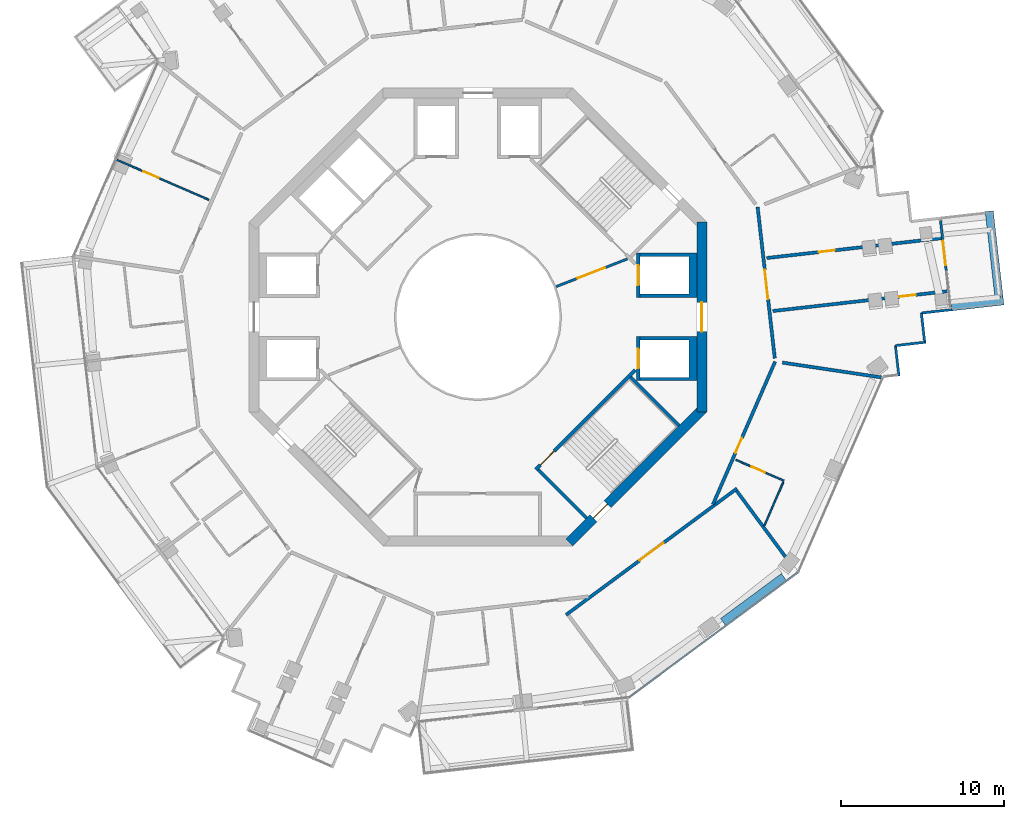
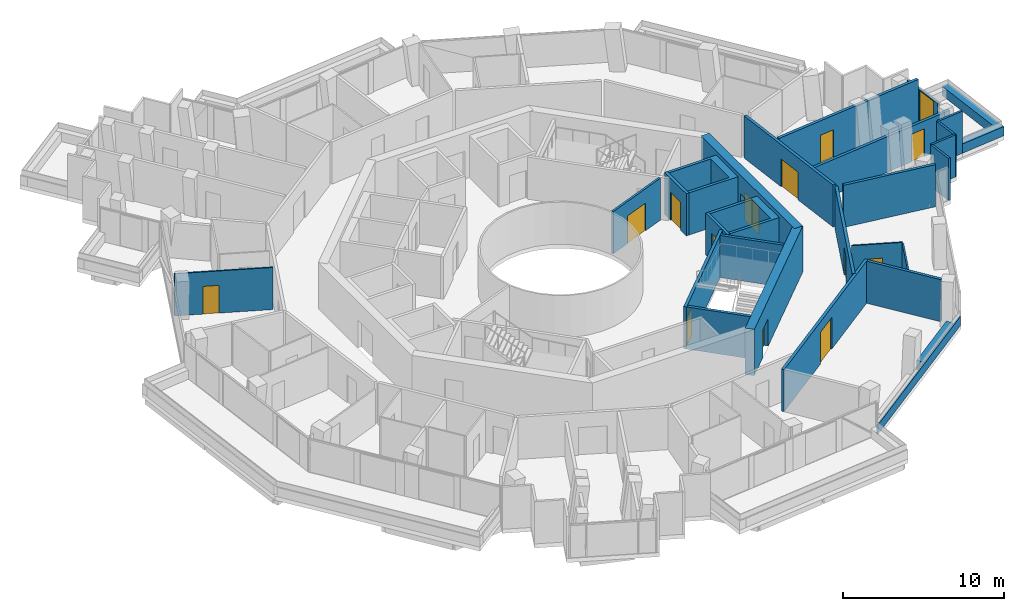
# One storey, part 17 of 23: 29 walls, 14 doors, 14 openings.
"""IFC4 building model written with IfcOpenShell, lengths in metres."""

from ifc_helpers import new_model, si_unit, direction, frame, frame_2d, origin, place, context, subcontext, project, spatial, polyline, rectangle, outline, extrude, material, layer, layer_set, type_object, element, fill, save


model = new_model("IFC4")

# Units and contexts
model_context = context("Model", 3, precision=1e-05, world=origin(), true_north=direction((0.0, 1.0)))
body_context = subcontext(model_context, "Body", "Model", "MODEL_VIEW")
ifc_project = project(units=[si_unit("LENGTHUNIT", "METRE"), si_unit("AREAUNIT", "SQUARE_METRE"), si_unit("VOLUMEUNIT", "CUBIC_METRE"), si_unit("PLANEANGLEUNIT", "RADIAN"), si_unit("MASSUNIT", "GRAM", prefix="KILO")], contexts=[model_context])

# Site, building, storey
site_placement = place(None, origin())
site = spatial("IfcSite", under=ifc_project, at=site_placement, CompositionType="ELEMENT")
building_placement = place(site_placement, origin())
building = spatial("IfcBuilding", under=site, at=building_placement, Name="Verdalira Terraces Hotel", CompositionType="ELEMENT")
storey_placement = place(building_placement, frame((0.0, 0.0, 183.5)))
storey = spatial("IfcBuildingStorey", under=building, at=storey_placement, Name="L44", CompositionType="ELEMENT", Elevation=183.5)

# Walls
ifc_material_1 = material(Name="Concrete C40", Category="concrete")
ifc_layer_1 = layer(ifc_material_1, 0.5)
ifc_layer_set_1 = layer_set([ifc_layer_1], Name="Balcony planter trough with tree")
wall_type_1 = type_object("IfcWallType", Name="Balcony planter trough with tree", PredefinedType="SOLIDWALL", material=ifc_layer_set_1)
wall_1_placement = place(storey_placement, frame((28.974121, 0.623779, 0.0), z_axis=(0.0, 0.0, 1.0), x_axis=(0.993608952, 0.112877152, 0.0)))
element("IfcWall", 1, at=wall_1_placement, inside=storey, type_object=wall_type_1, Name="Balcony planter", PredefinedType="SOLIDWALL", context=body_context, shape_type="SweptSolid", body=[
    extrude(rectangle(XDim=3.198975, YDim=0.5, at=frame_2d((1.599609, 0.0))), origin(), (0.0, 0.0, 1.0), 0.699951),
])
wall_2_placement = place(storey_placement, frame((31.875977, 1.205078, 0.0), z_axis=(0.0, 0.0, 1.0), x_axis=(-0.112858009, 0.993611126, 0.0)))
element("IfcWall", 2, at=wall_2_placement, inside=storey, type_object=wall_type_1, Name="Balcony planter", PredefinedType="SOLIDWALL", context=body_context, shape_type="SweptSolid", body=[
    extrude(rectangle(XDim=5.300049, YDim=0.5, at=frame_2d((2.649902, 0.0))), origin(), (0.0, 0.0, 1.0), 0.699951),
])

# Wall, opening, door
ifc_material_2 = material(Name="Moisture-resistant gypsum board partition")
ifc_layer_2 = layer(ifc_material_2, 0.10009765625)
ifc_layer_set_2 = layer_set([ifc_layer_2], Name="Bathroom partition 100 mm")
wall_type_2 = type_object("IfcWallType", Name="Bathroom partition 100 mm", PredefinedType="PARTITIONING", material=ifc_layer_set_2)
wall_3_placement = place(storey_placement, frame((-22.105469, 9.62085, 0.0), z_axis=(0.0, 0.0, 1.0), x_axis=(0.916919155, -0.399073005, 0.0)))
wall_3 = element("IfcWall", 3, at=wall_3_placement, inside=storey, type_object=wall_type_2, Name="Bathroom partition", PredefinedType="PARTITIONING", context=body_context, shape_type="SweptSolid", body=[
    extrude(rectangle(XDim=6.150146, YDim=0.100098, at=frame_2d((3.075195, 0.0))), origin(), (0.0, 0.0, 1.0), 3.189941),
])
opening_1_placement = place(wall_3_placement, frame((1.800049, 0.0, 0.0)))
opening_1 = element("IfcOpeningElement", 4, at=opening_1_placement, cuts=wall_3, Name="Opening L44-105", PredefinedType="OPENING", context=body_context, shape_type="SweptSolid", body=[
    extrude(rectangle(XDim=1.0, YDim=2.100098, at=frame_2d((0.5, 1.050049))), frame((0.0, 0.060059, 0.0), z_axis=(0.0, -1.0, 0.0), x_axis=(1.0, 0.0, 0.0)), (0.0, 0.0, 1.0), 0.120117),
])
ifc_material_3 = material(Name="Timber door", Category="wood")
door_type_1 = type_object("IfcDoorType", Name="Suite internal door 1000 x 2100", OperationType="NOTDEFINED", PredefinedType="DOOR", material=ifc_material_3)
door_1_placement = place(opening_1_placement, origin())
door_1 = element("IfcDoor", 5, at=door_1_placement, inside=storey, type_object=door_type_1, Name="Suite internal door 4402", OperationType="SINGLE_SWING_LEFT", OverallHeight=2.10009765625, OverallWidth=1.0, PredefinedType="DOOR", context=body_context, shape_type="SweptSolid", body=[
    extrude(rectangle(XDim=1.0, YDim=2.100098, at=frame_2d((0.5, 1.050049))), frame((0.0, 0.024902, 0.0), z_axis=(0.0, -1.0, 0.0), x_axis=(1.0, 0.0, 0.0)), (0.0, 0.0, 1.0), 0.050049),
])
fill(opening_1, door_1)

wall_4_placement = place(storey_placement, frame((18.714844, -10.019287, 0.0), z_axis=(0.0, 0.0, 1.0), x_axis=(-0.91692081, 0.399069203, 0.0)))
wall_4 = element("IfcWall", 6, at=wall_4_placement, inside=storey, type_object=wall_type_2, Name="Bathroom partition", PredefinedType="PARTITIONING", context=body_context, shape_type="SweptSolid", body=[
    extrude(rectangle(XDim=3.200195, YDim=0.100098, at=frame_2d((1.600098, 0.0))), origin(), (0.0, 0.0, 1.0), 3.189941),
])
opening_2_placement = place(wall_4_placement, frame((1.25, 0.0, 0.0)))
opening_2 = element("IfcOpeningElement", 7, at=opening_2_placement, cuts=wall_4, Name="Opening L44-121", PredefinedType="OPENING", context=body_context, shape_type="SweptSolid", body=[
    extrude(rectangle(XDim=0.899902, YDim=2.100098, at=frame_2d((0.449951, 1.050049))), frame((0.0, 0.060059, 0.0), z_axis=(0.0, -1.0, 0.0), x_axis=(1.0, 0.0, 0.0)), (0.0, 0.0, 1.0), 0.120117),
])
ifc_material_4 = material(Name="Timber door", Category="wood")
door_type_2 = type_object("IfcDoorType", Name="Bathroom door 900 x 2100", OperationType="NOTDEFINED", PredefinedType="DOOR", material=ifc_material_4)
door_2_placement = place(opening_2_placement, origin())
door_2 = element("IfcDoor", 8, at=door_2_placement, inside=storey, type_object=door_type_2, Name="Bathroom door 4407", OperationType="SINGLE_SWING_LEFT", OverallHeight=2.10009765625, OverallWidth=0.89990234375, PredefinedType="DOOR", context=body_context, shape_type="SweptSolid", body=[
    extrude(rectangle(XDim=0.899902, YDim=2.100098, at=frame_2d((0.449951, 1.050049))), frame((0.0, 0.024902, 0.0), z_axis=(0.0, -1.0, 0.0), x_axis=(1.0, 0.0, 0.0)), (0.0, 0.0, 1.0), 0.050049),
])
fill(opening_2, door_2)

# Walls
wall_5_placement = place(storey_placement, frame((18.674805, -10.11084, 0.0), z_axis=(0.0, 0.0, 1.0), x_axis=(-0.399063298, -0.91692338, 0.0)))
element("IfcWall", 9, at=wall_5_placement, inside=storey, type_object=wall_type_2, Name="Bathroom partition", PredefinedType="PARTITIONING", context=body_context, shape_type="SweptSolid", body=[
    extrude(rectangle(XDim=2.912109, YDim=0.100098, at=frame_2d((1.456055, 0.0))), origin(), (0.0, 0.0, 1.0), 3.189941),
])
ifc_material_5 = material(Name="Concrete C50", Category="concrete")
ifc_layer_3 = layer(ifc_material_5, 0.199951171875)
ifc_layer_set_3 = layer_set([ifc_layer_3], Name="Core RC wall 200 C50")
wall_type_3 = type_object("IfcWallType", Name="Core RC wall 200 C50", PredefinedType="SOLIDWALL", material=ifc_layer_set_3)
wall_6_placement = place(storey_placement, origin())
element("IfcWall", 10, at=wall_6_placement, inside=storey, type_object=wall_type_3, Name="L44 shaft wall E1", PredefinedType="SOLIDWALL", context=body_context, shape_type="SweptSolid", body=[
    extrude(outline(polyline([(13.399902, -3.899902), (9.899902, -3.899902), (9.899902, -3.699951), (12.899902, -3.699951), (12.899902, -1.399902), (9.899902, -1.399902), (9.899902, -1.199951), (13.399902, -1.199951), (13.399902, -3.899902)])), origin(), (0.0, 0.0, 1.0), 3.189941),
])

# Wall, opening, door
wall_7_placement = place(storey_placement, frame((9.800049, -1.199951, 0.0), z_axis=(0.0, 0.0, 1.0), x_axis=(0.0, -1.0, 0.0)))
wall_7 = element("IfcWall", 11, at=wall_7_placement, inside=storey, type_object=wall_type_3, Name="L44 shaft front wall E1", PredefinedType="SOLIDWALL", context=body_context, shape_type="SweptSolid", body=[
    extrude(rectangle(XDim=2.699951, YDim=0.199951, at=frame_2d((1.350098, 0.0))), origin(), (0.0, 0.0, 1.0), 3.189941),
])
opening_3_placement = place(wall_7_placement, frame((0.75, 0.0, 0.0)))
opening_3 = element("IfcOpeningElement", 12, at=opening_3_placement, cuts=wall_7, Name="Opening LD-L44-802", PredefinedType="OPENING", context=body_context, shape_type="SweptSolid", body=[
    extrude(rectangle(XDim=1.199951, YDim=2.100098, at=frame_2d((0.600098, 1.050049))), frame((0.0, 0.109863, 0.0), z_axis=(0.0, -1.0, 0.0), x_axis=(1.0, 0.0, 0.0)), (0.0, 0.0, 1.0), 0.219971),
])
ifc_material_6 = material(Name="Stainless steel", Category="steel")
door_type_3 = type_object("IfcDoorType", Name="Landing door 1200 x 2100", OperationType="NOTDEFINED", PredefinedType="DOOR", material=ifc_material_6)
door_3_placement = place(opening_3_placement, origin())
door_3 = element("IfcDoor", 13, at=door_3_placement, inside=storey, type_object=door_type_3, Name="Lift landing door HR1 L44", OperationType="DOUBLE_DOOR_SLIDING", OverallHeight=2.10009765625, OverallWidth=1.199951171875, PredefinedType="DOOR", context=body_context, shape_type="SweptSolid", body=[
    extrude(rectangle(XDim=1.199951, YDim=2.100098, at=frame_2d((0.600098, 1.050049))), frame((0.0, 0.024902, 0.0), z_axis=(0.0, -1.0, 0.0), x_axis=(1.0, 0.0, 0.0)), (0.0, 0.0, 1.0), 0.050049),
])
fill(opening_3, door_3)

# Wall
wall_8_placement = place(storey_placement, origin())
element("IfcWall", 14, at=wall_8_placement, inside=storey, type_object=wall_type_3, Name="L44 shaft wall E2", PredefinedType="SOLIDWALL", context=body_context, shape_type="SweptSolid", body=[
    extrude(outline(polyline([(13.399902, 3.899902), (13.399902, 1.199951), (9.899902, 1.199951), (9.899902, 1.399902), (12.899902, 1.399902), (12.899902, 3.699951), (9.899902, 3.699951), (9.899902, 3.899902), (13.399902, 3.899902)])), origin(), (0.0, 0.0, 1.0), 3.189941),
])

# Wall, opening, door
wall_9_placement = place(storey_placement, frame((9.800049, 1.199951, 0.0), z_axis=(0.0, 0.0, 1.0), x_axis=(0.0, 1.0, 0.0)))
wall_9 = element("IfcWall", 15, at=wall_9_placement, inside=storey, type_object=wall_type_3, Name="L44 shaft front wall E2", PredefinedType="SOLIDWALL", context=body_context, shape_type="SweptSolid", body=[
    extrude(rectangle(XDim=2.699951, YDim=0.199951, at=frame_2d((1.350098, 0.0))), origin(), (0.0, 0.0, 1.0), 3.189941),
])
opening_4_placement = place(wall_9_placement, frame((0.75, 0.0, 0.0)))
opening_4 = element("IfcOpeningElement", 16, at=opening_4_placement, cuts=wall_9, Name="Opening LD-L44-803", PredefinedType="OPENING", context=body_context, shape_type="SweptSolid", body=[
    extrude(rectangle(XDim=1.199951, YDim=2.100098, at=frame_2d((0.600098, 1.050049))), frame((0.0, 0.109863, 0.0), z_axis=(0.0, -1.0, 0.0), x_axis=(1.0, 0.0, 0.0)), (0.0, 0.0, 1.0), 0.219971),
])
door_4_placement = place(opening_4_placement, origin())
door_4 = element("IfcDoor", 17, at=door_4_placement, inside=storey, type_object=door_type_3, Name="Lift landing door HR2 L44", OperationType="DOUBLE_DOOR_SLIDING", OverallHeight=2.10009765625, OverallWidth=1.199951171875, PredefinedType="DOOR", context=body_context, shape_type="SweptSolid", body=[
    extrude(rectangle(XDim=1.199951, YDim=2.100098, at=frame_2d((0.600098, 1.050049))), frame((0.0, 0.024902, 0.0), z_axis=(0.0, -1.0, 0.0), x_axis=(1.0, 0.0, 0.0)), (0.0, 0.0, 1.0), 0.050049),
])
fill(opening_4, door_4)

wall_10_placement = place(storey_placement, frame((9.629395, -3.23999, 0.0), z_axis=(0.0, 0.0, 1.0), x_axis=(-0.707120946, -0.707092617, 0.0)))
wall_10 = element("IfcWall", 18, at=wall_10_placement, inside=storey, type_object=wall_type_3, Name="L44 stair ST3 front wall", PredefinedType="SOLIDWALL", context=body_context, shape_type="SweptSolid", body=[
    extrude(rectangle(XDim=8.61792, YDim=0.199951, at=frame_2d((4.309082, 0.0))), origin(), (0.0, 0.0, 1.0), 3.189941),
])
opening_5_placement = place(wall_10_placement, frame((7.017822, 0.0, 0.0)))
opening_5 = element("IfcOpeningElement", 19, at=opening_5_placement, cuts=wall_10, Name="Opening L44-812", PredefinedType="OPENING", context=body_context, shape_type="SweptSolid", body=[
    extrude(rectangle(XDim=1.199951, YDim=2.100098, at=frame_2d((0.600098, 1.050049))), frame((0.0, 0.109863, 0.0), z_axis=(0.0, -1.0, 0.0), x_axis=(1.0, 0.0, 0.0)), (0.0, 0.0, 1.0), 0.219971),
])
ifc_material_7 = material(Name="Steel fire door", Category="steel")
door_type_4 = type_object("IfcDoorType", Name="Stair door 1200 x 2100", OperationType="NOTDEFINED", PredefinedType="DOOR", material=ifc_material_7)
door_5_placement = place(opening_5_placement, origin())
door_5 = element("IfcDoor", 20, at=door_5_placement, inside=storey, type_object=door_type_4, Name="Stair door ST3 L44", OperationType="SINGLE_SWING_RIGHT", OverallHeight=2.10009765625, OverallWidth=1.199951171875, PredefinedType="DOOR", context=body_context, shape_type="SweptSolid", body=[
    extrude(rectangle(XDim=1.199951, YDim=2.100098, at=frame_2d((0.600098, 1.050049))), frame((0.0, 0.024902, 0.0), z_axis=(0.0, -1.0, 0.0), x_axis=(1.0, 0.0, 0.0)), (0.0, 0.0, 1.0), 0.050049),
])
fill(opening_5, door_5)

# Walls
for number, where, z_axis, x_axis, name in (
    (21, (3.677002, -9.33374, 0.0), (0.0, 0.0, 1.0), (0.707077716, -0.707135845, 0.0), "L44 stair ST3 end wall 1"),
    (22, (9.33374, -3.677002, 0.0), (0.0, 0.0, 1.0), (0.707135845, -0.707077716, 0.0), "L44 stair ST3 end wall 2"),
):
    element("IfcWall", number, at=place(storey_placement, frame(where, z_axis=z_axis, x_axis=x_axis)), inside=storey, type_object=wall_type_3, Name=name, PredefinedType="SOLIDWALL", context=body_context, shape_type="SweptSolid", body=[
        extrude(rectangle(XDim=4.199951, YDim=0.199951, at=frame_2d((2.100098, 0.0))), origin(), (0.0, 0.0, 1.0), 3.189941),
    ])

# Wall, opening, door
ifc_material_8 = material(Name="Gypsum board partition")
ifc_layer_4 = layer(ifc_material_8, 0.14990234375)
ifc_layer_set_4 = layer_set([ifc_layer_4], Name="Core partition 150 mm")
wall_type_4 = type_object("IfcWallType", Name="Core partition 150 mm", PredefinedType="PARTITIONING", material=ifc_layer_set_4)
wall_11_placement = place(storey_placement, frame((4.781982, 1.857178, 0.0), z_axis=(0.0, 0.0, 1.0), x_axis=(0.932157474, 0.362053096, 0.0)))
wall_11 = element("IfcWall", 23, at=wall_11_placement, inside=storey, type_object=wall_type_4, Name="Gallery fire partition L44", PredefinedType="PARTITIONING", context=body_context, shape_type="SweptSolid", body=[
    extrude(rectangle(XDim=4.675049, YDim=0.149902, at=frame_2d((2.337402, 0.0))), origin(), (0.0, 0.0, 1.0), 3.189941),
])
opening_6_placement = place(wall_11_placement, frame((1.399902, 0.0, 0.0)))
opening_6 = element("IfcOpeningElement", 24, at=opening_6_placement, cuts=wall_11, Name="Opening L44-823", PredefinedType="OPENING", context=body_context, shape_type="SweptSolid", body=[
    extrude(rectangle(XDim=1.800049, YDim=2.100098, at=frame_2d((0.899902, 1.050049))), frame((0.0, 0.084961, 0.0), z_axis=(0.0, -1.0, 0.0), x_axis=(1.0, 0.0, 0.0)), (0.0, 0.0, 1.0), 0.169922),
])
ifc_material_9 = material(Name="Steel fire door", Category="steel")
door_type_5 = type_object("IfcDoorType", Name="Gallery fire door pair 1800 x 2100", OperationType="NOTDEFINED", PredefinedType="DOOR", material=ifc_material_9)
door_6_placement = place(opening_6_placement, origin())
door_6 = element("IfcDoor", 25, at=door_6_placement, inside=storey, type_object=door_type_5, Name="Door L44 split0", OperationType="DOUBLE_DOOR_SINGLE_SWING", OverallHeight=2.10009765625, OverallWidth=1.800048828125, PredefinedType="DOOR", context=body_context, shape_type="SweptSolid", body=[
    extrude(rectangle(XDim=1.800049, YDim=2.100098, at=frame_2d((0.899902, 1.050049))), frame((0.0, 0.024902, 0.0), z_axis=(0.0, -1.0, 0.0), x_axis=(1.0, 0.0, 0.0)), (0.0, 0.0, 1.0), 0.050049),
])
fill(opening_6, door_6)

ifc_material_10 = material(Name="Concrete C60", Category="concrete")
ifc_layer_5 = layer(ifc_material_10, 0.60009765625)
ifc_layer_set_5 = layer_set([ifc_layer_5], Name="Core wall 600 C60")
wall_type_5 = type_object("IfcWallType", Name="Core wall 600 C60", PredefinedType="SHEAR", material=ifc_layer_set_5)
wall_12_placement = place(storey_placement, frame((13.699951, -5.799072, 0.0), z_axis=(0.0, 0.0, 1.0), x_axis=(0.0, 1.0, 0.0)))
wall_12 = element("IfcWall", 26, at=wall_12_placement, inside=storey, type_object=wall_type_5, Name="Core wall CW-L44-1", PredefinedType="SHEAR", context=body_context, shape_type="SweptSolid", body=[
    extrude(rectangle(XDim=11.598145, YDim=0.600098, at=frame_2d((5.799072, 0.0))), origin(), (0.0, 0.0, 1.0), 3.5),
])
opening_7_placement = place(wall_12_placement, frame((4.898926, 0.0, 0.0)))
opening_7 = element("IfcOpeningElement", 27, at=opening_7_placement, cuts=wall_12, Name="Opening L44-813", PredefinedType="OPENING", context=body_context, shape_type="SweptSolid", body=[
    extrude(rectangle(XDim=1.800049, YDim=2.100098, at=frame_2d((0.899902, 1.050049))), frame((0.0, 0.310059, 0.0), z_axis=(0.0, -1.0, 0.0), x_axis=(1.0, 0.0, 0.0)), (0.0, 0.0, 1.0), 0.620117),
])
ifc_material_11 = material(Name="Steel fire door", Category="steel")
door_type_6 = type_object("IfcDoorType", Name="Core entry door pair 1800 x 2100", OperationType="NOTDEFINED", PredefinedType="DOOR", material=ifc_material_11)
door_7_placement = place(opening_7_placement, origin())
door_7 = element("IfcDoor", 28, at=door_7_placement, inside=storey, type_object=door_type_6, Name="Core entry door L44 0", OperationType="DOUBLE_DOOR_SINGLE_SWING", OverallHeight=2.10009765625, OverallWidth=1.800048828125, PredefinedType="DOOR", context=body_context, shape_type="SweptSolid", body=[
    extrude(rectangle(XDim=1.800049, YDim=2.100098, at=frame_2d((0.899902, 1.050049))), frame((0.0, 0.024902, 0.0), z_axis=(0.0, -1.0, 0.0), x_axis=(1.0, 0.0, 0.0)), (0.0, 0.0, 1.0), 0.050049),
])
fill(opening_7, door_7)

wall_13_placement = place(storey_placement, frame((5.586914, -13.787842, 0.0), z_axis=(0.0, 0.0, 1.0), x_axis=(0.707106781, 0.707106781, 0.0)))
wall_13 = element("IfcWall", 29, at=wall_13_placement, inside=storey, type_object=wall_type_5, Name="Core wall CW-L44-8", PredefinedType="SHEAR", context=body_context, shape_type="SweptSolid", body=[
    extrude(rectangle(XDim=11.5979, YDim=0.600098, at=frame_2d((5.798828, 0.0))), origin(), (0.0, 0.0, 1.0), 3.5),
])
opening_8_placement = place(wall_13_placement, frame((2.099121, 0.0, 0.0)))
opening_8 = element("IfcOpeningElement", 30, at=opening_8_placement, cuts=wall_13, Name="Opening L44-818", PredefinedType="OPENING", context=body_context, shape_type="SweptSolid", body=[
    extrude(rectangle(XDim=1.199951, YDim=2.100098, at=frame_2d((0.600098, 1.050049))), frame((0.0, 0.310059, 0.0), z_axis=(0.0, -1.0, 0.0), x_axis=(1.0, 0.0, 0.0)), (0.0, 0.0, 1.0), 0.620117),
])
door_8_placement = place(opening_8_placement, origin())
door_8 = element("IfcDoor", 31, at=door_8_placement, inside=storey, type_object=door_type_4, Name="Stair exit door ST3 L44", OperationType="SINGLE_SWING_LEFT", OverallHeight=2.10009765625, OverallWidth=1.199951171875, PredefinedType="DOOR", context=body_context, shape_type="SweptSolid", body=[
    extrude(rectangle(XDim=1.199951, YDim=2.100098, at=frame_2d((0.600098, 1.050049))), frame((0.0, 0.024902, 0.0), z_axis=(0.0, -1.0, 0.0), x_axis=(1.0, 0.0, 0.0)), (0.0, 0.0, 1.0), 0.050049),
])
fill(opening_8, door_8)

# Wall
ifc_material_12 = material(Name="Fire-rated gypsum board wall")
ifc_layer_6 = layer(ifc_material_12, 0.199951171875)
ifc_layer_set_6 = layer_set([ifc_layer_6], Name="Demising wall 200 mm")
wall_type_6 = type_object("IfcWallType", Name="Demising wall 200 mm", PredefinedType="SOLIDWALL", material=ifc_layer_set_6)
wall_14_placement = place(storey_placement, frame((24.688721, -3.698486, 0.0), z_axis=(0.0, 0.0, 1.0), x_axis=(-0.988965537, 0.148145763, 0.0)))
element("IfcWall", 32, at=wall_14_placement, inside=storey, type_object=wall_type_6, Name="Demising wall", PredefinedType="SOLIDWALL", context=body_context, shape_type="SweptSolid", body=[
    extrude(rectangle(XDim=6.13208, YDim=0.199951, at=frame_2d((3.065918, 0.0))), origin(), (0.0, 0.0, 1.0), 3.189941),
])

# Wall, opening, door
wall_15_placement = place(storey_placement, frame((17.664307, 3.605469, 0.0), z_axis=(0.0, 0.0, 1.0), x_axis=(0.993612144, 0.112849049, 0.0)))
wall_15 = element("IfcWall", 33, at=wall_15_placement, inside=storey, type_object=wall_type_6, Name="Demising wall", PredefinedType="SOLIDWALL", context=body_context, shape_type="SweptSolid", body=[
    extrude(rectangle(XDim=10.75, YDim=0.199951, at=frame_2d((5.375, 0.0))), origin(), (0.0, 0.0, 1.0), 3.189941),
])
opening_9_placement = place(wall_15_placement, frame((3.199951, 0.0, 0.0)))
opening_9 = element("IfcOpeningElement", 34, at=opening_9_placement, cuts=wall_15, Name="Opening L44-124", PredefinedType="OPENING", context=body_context, shape_type="SweptSolid", body=[
    extrude(rectangle(XDim=1.0, YDim=2.100098, at=frame_2d((0.5, 1.050049))), frame((0.0, 0.109863, 0.0), z_axis=(0.0, -1.0, 0.0), x_axis=(1.0, 0.0, 0.0)), (0.0, 0.0, 1.0), 0.219971),
])
ifc_material_13 = material(Name="Timber fire door", Category="wood")
door_type_7 = type_object("IfcDoorType", Name="Public room door 1000 x 2100", OperationType="NOTDEFINED", PredefinedType="DOOR", material=ifc_material_13)
door_9_placement = place(opening_9_placement, origin())
door_9 = element("IfcDoor", 35, at=door_9_placement, inside=storey, type_object=door_type_7, Name="Public room door 4408", OperationType="SINGLE_SWING_LEFT", OverallHeight=2.10009765625, OverallWidth=1.0, PredefinedType="DOOR", context=body_context, shape_type="SweptSolid", body=[
    extrude(rectangle(XDim=1.0, YDim=2.100098, at=frame_2d((0.5, 1.050049))), frame((0.0, 0.024902, 0.0), z_axis=(0.0, -1.0, 0.0), x_axis=(1.0, 0.0, 0.0)), (0.0, 0.0, 1.0), 0.050049),
])
fill(opening_9, door_9)

ifc_material_14 = material(Name="Fire-rated gypsum board wall")
ifc_layer_7 = layer(ifc_material_14, 0.199951171875)
ifc_layer_set_7 = layer_set([ifc_layer_7], Name="Demising wall 200 mm to beam soffit")
wall_type_7 = type_object("IfcWallType", Name="Demising wall 200 mm to beam soffit", PredefinedType="SOLIDWALL", material=ifc_layer_set_7)
wall_16_placement = place(storey_placement, frame((28.714111, 1.574951, 0.0), z_axis=(0.0, 0.0, 1.0), x_axis=(-0.993612144, -0.112849049, 0.0)))
wall_16 = element("IfcWall", 36, at=wall_16_placement, inside=storey, type_object=wall_type_7, Name="Demising wall", PredefinedType="SOLIDWALL", context=body_context, shape_type="SweptSolid", body=[
    extrude(rectangle(XDim=10.75, YDim=0.199951, at=frame_2d((5.375, 0.0))), origin(), (0.0, 0.0, 1.0), 2.689941),
])
opening_10_placement = place(wall_16_placement, frame((1.949951, 0.0, 0.0)))
opening_10 = element("IfcOpeningElement", 37, at=opening_10_placement, cuts=wall_16, Name="Opening L44-123", PredefinedType="OPENING", context=body_context, shape_type="SweptSolid", body=[
    extrude(rectangle(XDim=1.0, YDim=2.100098, at=frame_2d((0.5, 1.050049))), frame((0.0, 0.109863, 0.0), z_axis=(0.0, -1.0, 0.0), x_axis=(1.0, 0.0, 0.0)), (0.0, 0.0, 1.0), 0.219971),
])
door_10_placement = place(opening_10_placement, origin())
door_10 = element("IfcDoor", 38, at=door_10_placement, inside=storey, type_object=door_type_7, Name="Public room door 4408", OperationType="SINGLE_SWING_LEFT", OverallHeight=2.10009765625, OverallWidth=1.0, PredefinedType="DOOR", context=body_context, shape_type="SweptSolid", body=[
    extrude(rectangle(XDim=1.0, YDim=2.100098, at=frame_2d((0.5, 1.050049))), frame((0.0, 0.024902, 0.0), z_axis=(0.0, -1.0, 0.0), x_axis=(1.0, 0.0, 0.0)), (0.0, 0.0, 1.0), 0.050049),
])
fill(opening_10, door_10)

ifc_material_15 = material(Name="Fire-rated gypsum board wall")
ifc_layer_8 = layer(ifc_material_15, 0.199951171875)
ifc_layer_set_8 = layer_set([ifc_layer_8], Name="Guest corridor wall 200 mm")
wall_type_8 = type_object("IfcWallType", Name="Guest corridor wall 200 mm", PredefinedType="SOLIDWALL", material=ifc_layer_set_8)
wall_17_placement = place(storey_placement, frame((18.181885, -2.723877, 0.0), z_axis=(0.0, 0.0, 1.0), x_axis=(-0.399057465, -0.916925918, 0.0)))
wall_17 = element("IfcWall", 39, at=wall_17_placement, inside=storey, type_object=wall_type_8, Name="Guest corridor wall", PredefinedType="SOLIDWALL", context=body_context, shape_type="SweptSolid", body=[
    extrude(rectangle(XDim=9.536621, YDim=0.199951, at=frame_2d((4.768311, 0.0))), origin(), (0.0, 0.0, 1.0), 3.189941),
])
opening_11_placement = place(wall_17_placement, frame((5.100098, 0.0, 0.0)))
opening_11 = element("IfcOpeningElement", 40, at=opening_11_placement, cuts=wall_17, Name="Opening L44-120", PredefinedType="OPENING", context=body_context, shape_type="SweptSolid", body=[
    extrude(rectangle(XDim=1.0, YDim=2.100098, at=frame_2d((0.5, 1.050049))), frame((0.0, 0.109863, 0.0), z_axis=(0.0, -1.0, 0.0), x_axis=(1.0, 0.0, 0.0)), (0.0, 0.0, 1.0), 0.219971),
])
ifc_material_16 = material(Name="Timber fire door", Category="wood")
door_type_8 = type_object("IfcDoorType", Name="Guest entry door 1000 x 2100", OperationType="NOTDEFINED", PredefinedType="DOOR", material=ifc_material_16)
door_11_placement = place(opening_11_placement, origin())
door_11 = element("IfcDoor", 41, at=door_11_placement, inside=storey, type_object=door_type_8, Name="Guest entry door 4407", OperationType="SINGLE_SWING_LEFT", OverallHeight=2.10009765625, OverallWidth=1.0, PredefinedType="DOOR", context=body_context, shape_type="SweptSolid", body=[
    extrude(rectangle(XDim=1.0, YDim=2.100098, at=frame_2d((0.5, 1.050049))), frame((0.0, 0.024902, 0.0), z_axis=(0.0, -1.0, 0.0), x_axis=(1.0, 0.0, 0.0)), (0.0, 0.0, 1.0), 0.050049),
])
fill(opening_11, door_11)

wall_18_placement = place(storey_placement, frame((17.10791, 6.732178, 0.0), z_axis=(0.0, 0.0, 1.0), x_axis=(0.112835605, -0.993613671, 0.0)))
wall_18 = element("IfcWall", 42, at=wall_18_placement, inside=storey, type_object=wall_type_8, Name="Guest corridor wall", PredefinedType="SOLIDWALL", context=body_context, shape_type="SweptSolid", body=[
    extrude(rectangle(XDim=9.316895, YDim=0.199951, at=frame_2d((4.658447, 0.0))), origin(), (0.0, 0.0, 1.0), 3.189941),
])
opening_12_placement = place(wall_18_placement, frame((3.869385, 0.0, 0.0)))
opening_12 = element("IfcOpeningElement", 43, at=opening_12_placement, cuts=wall_18, Name="Opening L44-122", PredefinedType="OPENING", context=body_context, shape_type="SweptSolid", body=[
    extrude(rectangle(XDim=1.800049, YDim=2.100098, at=frame_2d((0.899902, 1.050049))), frame((0.0, 0.109863, 0.0), z_axis=(0.0, -1.0, 0.0), x_axis=(1.0, 0.0, 0.0)), (0.0, 0.0, 1.0), 0.219971),
])
ifc_material_17 = material(Name="Timber fire door", Category="wood")
door_type_9 = type_object("IfcDoorType", Name="Public room double door 1800 x 2100", OperationType="NOTDEFINED", PredefinedType="DOOR", material=ifc_material_17)
door_12_placement = place(opening_12_placement, origin())
door_12 = element("IfcDoor", 44, at=door_12_placement, inside=storey, type_object=door_type_9, Name="Public room double door 4408", OperationType="DOUBLE_DOOR_SINGLE_SWING", OverallHeight=2.10009765625, OverallWidth=1.800048828125, PredefinedType="DOOR", context=body_context, shape_type="SweptSolid", body=[
    extrude(rectangle(XDim=1.800049, YDim=2.100098, at=frame_2d((0.899902, 1.050049))), frame((0.0, 0.024902, 0.0), z_axis=(0.0, -1.0, 0.0), x_axis=(1.0, 0.0, 0.0)), (0.0, 0.0, 1.0), 0.050049),
])
fill(opening_12, door_12)

ifc_material_18 = material(Name="Terracotta cladding", Category="masonry")
ifc_layer_9 = layer(ifc_material_18, 0.199951171875)
ifc_layer_set_9 = layer_set([ifc_layer_9], Name="Loggia back wall 200")
wall_type_9 = type_object("IfcWallType", Name="Loggia back wall 200", PredefinedType="SOLIDWALL", material=ifc_layer_set_9)
wall_19_placement = place(storey_placement, frame((15.843994, -10.494629, 0.0), z_axis=(0.0, 0.0, 1.0), x_axis=(-0.804058258, -0.594550517, 0.0)))
wall_19 = element("IfcWall", 45, at=wall_19_placement, inside=storey, type_object=wall_type_9, Name="Loggia back wall", PredefinedType="SOLIDWALL", context=body_context, shape_type="SweptSolid", body=[
    extrude(rectangle(XDim=13.000244, YDim=0.199951, at=frame_2d((6.5, 0.0))), origin(), (0.0, 0.0, 1.0), 3.189941),
])
opening_13_placement = place(wall_19_placement, frame((5.600098, 0.0, 0.0)))
opening_13 = element("IfcOpeningElement", 46, at=opening_13_placement, cuts=wall_19, Name="Opening L44-L01", PredefinedType="OPENING", context=body_context, shape_type="SweptSolid", body=[
    extrude(rectangle(XDim=1.800049, YDim=2.399902, at=frame_2d((0.899902, 1.199951))), frame((0.0, 0.109863, 0.0), z_axis=(0.0, -1.0, 0.0), x_axis=(1.0, 0.0, 0.0)), (0.0, 0.0, 1.0), 0.219971),
])
ifc_material_19 = material(Name="Clear glass", Category="glass")
door_type_10 = type_object("IfcDoorType", Name="Garden double door 1800x2400", OperationType="NOTDEFINED", PredefinedType="DOOR", material=ifc_material_19)
door_13_placement = place(opening_13_placement, origin())
door_13 = element("IfcDoor", 47, at=door_13_placement, inside=storey, type_object=door_type_10, Name="Loggia double door", OperationType="DOUBLE_DOOR_SINGLE_SWING", OverallHeight=2.39990234375, OverallWidth=1.800048828125, PredefinedType="DOOR", context=body_context, shape_type="SweptSolid", body=[
    extrude(rectangle(XDim=1.800049, YDim=2.399902, at=frame_2d((0.899902, 1.199951))), frame((0.0, 0.024902, 0.0), z_axis=(0.0, -1.0, 0.0), x_axis=(1.0, 0.0, 0.0)), (0.0, 0.0, 1.0), 0.050049),
])
fill(opening_13, door_13)

# Walls
wall_20_placement = place(storey_placement, frame((18.807617, -14.670898, 0.0), z_axis=(0.0, 0.0, 1.0), x_axis=(-0.594546939, 0.804060904, 0.0)))
element("IfcWall", 48, at=wall_20_placement, inside=storey, type_object=wall_type_9, Name="Loggia side wall", PredefinedType="SOLIDWALL", context=body_context, shape_type="SweptSolid", body=[
    extrude(rectangle(XDim=5.02002, YDim=0.199951, at=frame_2d((2.51001, 0.0))), origin(), (0.0, 0.0, 1.0), 3.189941),
])
ifc_material_20 = material(Name="Concrete C40", Category="concrete")
ifc_layer_10 = layer(ifc_material_20, 0.5)
ifc_layer_set_10 = layer_set([ifc_layer_10], Name="Loggia planter trough with tree")
wall_type_10 = type_object("IfcWallType", Name="Loggia planter trough with tree", PredefinedType="SOLIDWALL", material=ifc_layer_set_10)
wall_21_placement = place(storey_placement, frame((14.987549, -18.652344, 0.0), z_axis=(0.0, 0.0, 1.0), x_axis=(0.804056673, 0.594552662, 0.0)))
element("IfcWall", 49, at=wall_21_placement, inside=storey, type_object=wall_type_10, Name="Loggia planter", PredefinedType="SOLIDWALL", context=body_context, shape_type="SweptSolid", body=[
    extrude(rectangle(XDim=4.629883, YDim=0.5, at=frame_2d((2.314941, 0.0))), origin(), (0.0, 0.0, 1.0), 0.699951),
])
ifc_material_21 = material(Name="Concrete C40", Category="concrete")
ifc_layer_11 = layer(ifc_material_21, 0.10009765625)
ifc_layer_set_11 = layer_set([ifc_layer_11], Name="Loggia upstand 100")
wall_type_11 = type_object("IfcWallType", Name="Loggia upstand 100", PredefinedType="SOLIDWALL", material=ifc_layer_set_11)
wall_22_placement = place(storey_placement, frame((9.230713, -23.281982, 0.0), z_axis=(0.0, 0.0, 1.0), x_axis=(0.804070226, 0.594534332, 0.0)))
element("IfcWall", 50, at=wall_22_placement, inside=storey, type_object=wall_type_11, Name="Loggia upstand", PredefinedType="SOLIDWALL", context=body_context, shape_type="SweptSolid", body=[
    extrude(rectangle(XDim=12.839844, YDim=0.100098, at=frame_2d((6.419922, 0.0))), origin(), (0.0, 0.0, 1.0), 0.699951),
])
ifc_material_22 = material(Name="Terracotta cladding", Category="masonry")
ifc_layer_12 = layer(ifc_material_22, 0.14990234375)
ifc_layer_set_12 = layer_set([ifc_layer_12], Name="Terracotta clad wall 150")
wall_type_12 = type_object("IfcWallType", Name="Terracotta clad wall 150", PredefinedType="SOLIDWALL", material=ifc_layer_set_12)
wall_23_placement = place(storey_placement, frame((25.756104, -3.616455, 0.0), z_axis=(0.0, 0.0, 1.0), x_axis=(-0.112889237, 0.993607579, 0.0)))
element("IfcWall", 51, at=wall_23_placement, inside=storey, type_object=wall_type_12, Name="Terracotta cladding wall", PredefinedType="SOLIDWALL", context=body_context, shape_type="SweptSolid", body=[
    extrude(rectangle(XDim=1.875, YDim=0.149902, at=frame_2d((0.9375, 0.0))), origin(), (0.0, 0.0, 1.0), 3.189941),
])
wall_24_placement = place(storey_placement, frame((25.544434, -1.753418, 0.0), z_axis=(0.0, 0.0, 1.0), x_axis=(0.99361286, 0.112842738, 0.0)))
element("IfcWall", 52, at=wall_24_placement, inside=storey, type_object=wall_type_12, Name="Terracotta cladding wall", PredefinedType="SOLIDWALL", context=body_context, shape_type="SweptSolid", body=[
    extrude(rectangle(XDim=1.800049, YDim=0.149902, at=frame_2d((0.899902, 0.0))), origin(), (0.0, 0.0, 1.0), 3.189941),
])
wall_25_placement = place(storey_placement, frame((27.341309, -1.624756, 0.0), z_axis=(0.0, 0.0, 1.0), x_axis=(-0.112760687, 0.993622175, 0.0)))
element("IfcWall", 53, at=wall_25_placement, inside=storey, type_object=wall_type_12, Name="Terracotta cladding wall", PredefinedType="SOLIDWALL", context=body_context, shape_type="SweptSolid", body=[
    extrude(rectangle(XDim=1.875, YDim=0.149902, at=frame_2d((0.9375, 0.0))), origin(), (0.0, 0.0, 1.0), 3.189941),
])
wall_26_placement = place(storey_placement, frame((27.129883, 0.238281, 0.0), z_axis=(0.0, 0.0, 1.0), x_axis=(0.993605919, 0.112903844, 0.0)))
element("IfcWall", 54, at=wall_26_placement, inside=storey, type_object=wall_type_12, Name="Terracotta cladding wall", PredefinedType="SOLIDWALL", context=body_context, shape_type="SweptSolid", body=[
    extrude(rectangle(XDim=1.874756, YDim=0.149902, at=frame_2d((0.9375, 0.0))), origin(), (0.0, 0.0, 1.0), 3.189941),
])

# Wall, opening, door
ifc_material_23 = material(Name="Terracotta cladding", Category="masonry")
ifc_layer_13 = layer(ifc_material_23, 0.14990234375)
ifc_layer_set_13 = layer_set([ifc_layer_13], Name="Terracotta door pier 150")
wall_type_13 = type_object("IfcWallType", Name="Terracotta door pier 150", PredefinedType="SOLIDWALL", material=ifc_layer_set_13)
wall_27_placement = place(storey_placement, frame((28.654785, 2.761475, 0.0), z_axis=(0.0, 0.0, 1.0), x_axis=(-0.112873285, 0.993609391, 0.0)))
wall_27 = element("IfcWall", 55, at=wall_27_placement, inside=storey, type_object=wall_type_13, Name="Terracotta door pier", PredefinedType="SOLIDWALL", context=body_context, shape_type="SweptSolid", body=[
    extrude(rectangle(XDim=3.160156, YDim=0.149902, at=frame_2d((1.580078, 0.0))), origin(), (0.0, 0.0, 1.0), 2.475098),
])
opening_14_placement = place(wall_27_placement, frame((0.399902, 0.0, 0.0)))
opening_14 = element("IfcOpeningElement", 56, at=opening_14_placement, cuts=wall_27, Name="Opening L44-B10", PredefinedType="OPENING", context=body_context, shape_type="SweptSolid", body=[
    extrude(rectangle(XDim=1.5, YDim=2.399902, at=frame_2d((0.75, 1.199951))), frame((0.0, 0.084961, 0.0), z_axis=(0.0, -1.0, 0.0), x_axis=(1.0, 0.0, 0.0)), (0.0, 0.0, 1.0), 0.169922),
])
ifc_material_24 = material(Name="Clear glass", Category="glass")
door_type_11 = type_object("IfcDoorType", Name="Balcony sliding door 1500x2400", OperationType="NOTDEFINED", PredefinedType="DOOR", material=ifc_material_24)
door_14_placement = place(opening_14_placement, origin())
door_14 = element("IfcDoor", 57, at=door_14_placement, inside=storey, type_object=door_type_11, Name="Balcony sliding door", OperationType="SLIDING_TO_RIGHT", OverallHeight=2.39990234375, OverallWidth=1.5, PredefinedType="DOOR", context=body_context, shape_type="SweptSolid", body=[
    extrude(rectangle(XDim=1.5, YDim=2.399902, at=frame_2d((0.75, 1.199951))), frame((0.0, 0.024902, 0.0), z_axis=(0.0, -1.0, 0.0), x_axis=(1.0, 0.0, 0.0)), (0.0, 0.0, 1.0), 0.050049),
])
fill(opening_14, door_14)

save(model, "model.ifc")
